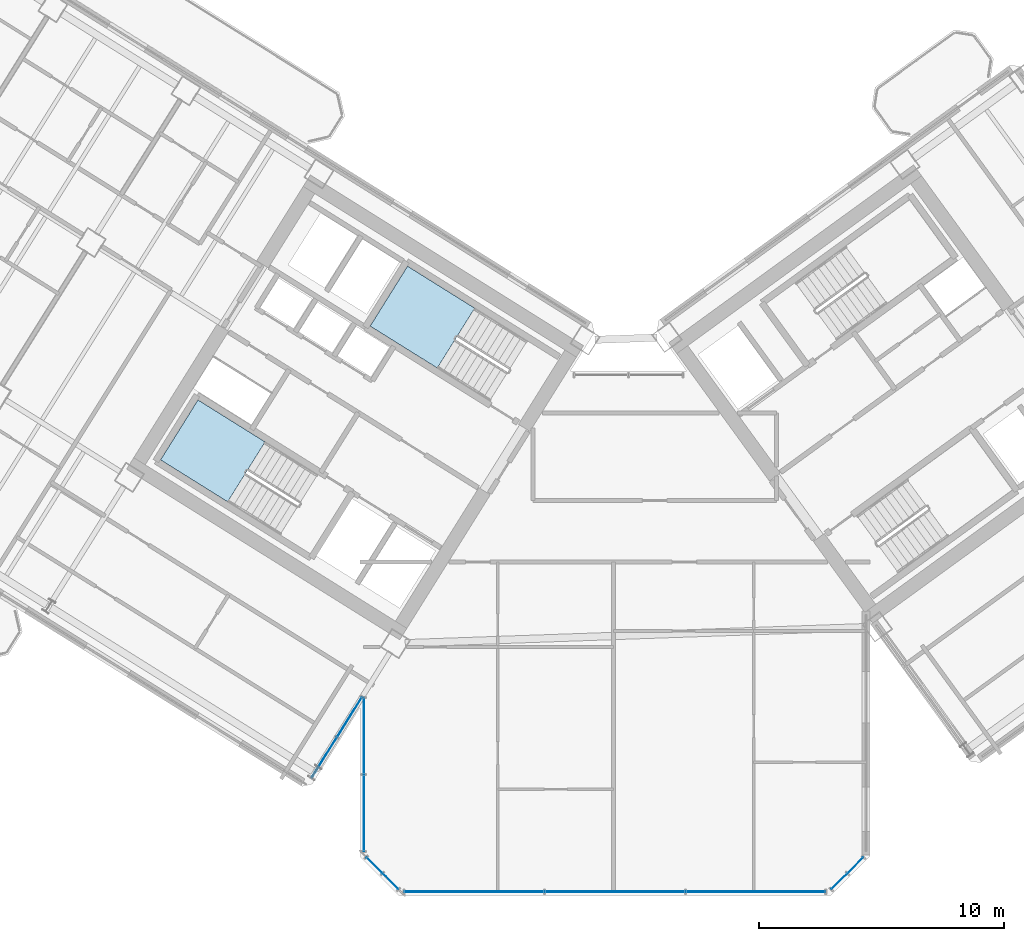
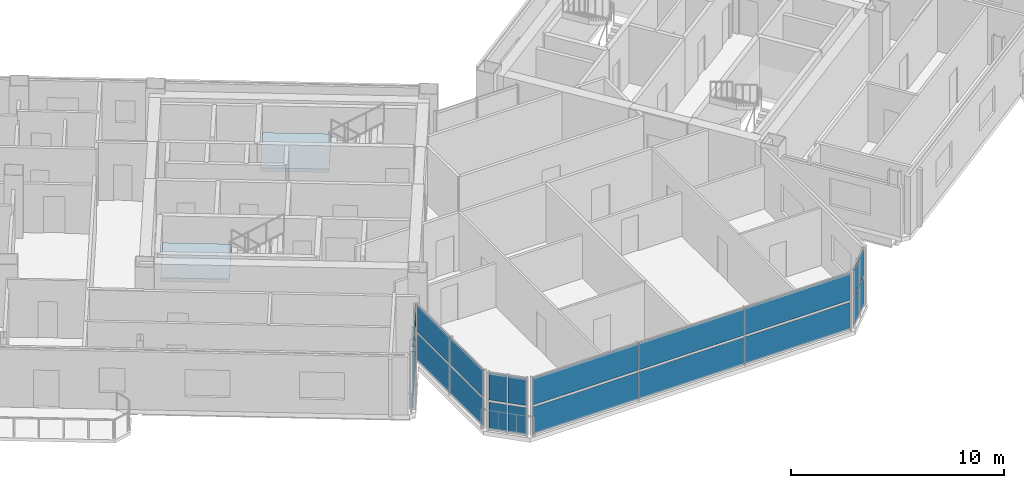
# One storey, part 14 of 29: 22 plates, 2 slabs, 7 elements without a shape of their own.
"""IFC4 building model written with IfcOpenShell, lengths in metres."""

from ifc_helpers import new_model, si_unit, direction, frame, origin, origin_2d, place, context, subcontext, project, spatial, polyline, rectangle, outline, extrude, source, transform, mapped, material, layer, layer_set, type_object, element, aggregate, save


model = new_model("IFC4")

# Units and contexts
model_context = context("Model", 3, precision=1e-05, world=origin(), true_north=direction((0.0, 1.0)))
body_context = subcontext(model_context, "Body", "Model", "MODEL_VIEW")
ifc_project = project(units=[si_unit("LENGTHUNIT", "METRE"), si_unit("AREAUNIT", "SQUARE_METRE"), si_unit("VOLUMEUNIT", "CUBIC_METRE"), si_unit("PLANEANGLEUNIT", "RADIAN"), si_unit("MASSUNIT", "GRAM", prefix="KILO")], contexts=[model_context])

# Site, building, storey
site_placement = place(None, origin())
site = spatial("IfcSite", under=ifc_project, at=site_placement, CompositionType="ELEMENT")
building_placement = place(site_placement, origin())
building = spatial("IfcBuilding", under=site, at=building_placement, Name="Tlacorven Tower", CompositionType="ELEMENT")
storey_placement = place(building_placement, frame((0.0, 0.0, 165.89990234375)))
storey = spatial("IfcBuildingStorey", under=building, at=storey_placement, Name="L42", CompositionType="ELEMENT", Elevation=165.89990234375)

# Stair, slab
ifc_material_1 = material(Name="Concrete C40/50", Category="concrete")
stair_type = type_object("IfcStairType", Name="ST-CORE-DLG", PredefinedType="HALF_TURN_STAIR", material=ifc_material_1)
stair_1_placement = place(storey_placement, origin())
stair_1 = element("IfcStair", 1, at=stair_1_placement, inside=storey, type_object=stair_type, Name="L42 Protected Exit Stair West 1", PredefinedType="HALF_TURN_STAIR")
ifc_layer_1 = layer(ifc_material_1, 0.199951171875)
ifc_layer_set_1 = layer_set([ifc_layer_1], Name="Concrete C40/50")
slab_type = type_object("IfcSlabType", Name="SL-LND-200", PredefinedType="LANDING", material=ifc_layer_set_1)
slab_1_placement = place(storey_placement, frame((0.0, 0.0, 1.60009765625)))
slab_1 = element("IfcSlab", 2, at=slab_1_placement, type_object=slab_type, Name="ST-W1 landing 1", PredefinedType="LANDING", context=body_context, shape_type="SweptSolid", body=[
    extrude(outline(polyline([(27.728515625, 20.315185546875), (24.9892578125, 22.02685546875), (23.463134765625, 19.58447265625), (26.2021484375, 17.872802734375), (27.728515625, 20.315185546875)])), origin(), (0.0, 0.0, 1.0), 0.199951171875),
])
aggregate(stair_1, [slab_1])

stair_2_placement = place(storey_placement, origin())
stair_2 = element("IfcStair", 3, at=stair_2_placement, inside=storey, type_object=stair_type, Name="L42 Protected Exit Stair West 2", PredefinedType="HALF_TURN_STAIR")
slab_2_placement = place(storey_placement, frame((0.0, 0.0, 1.60009765625)))
slab_2 = element("IfcSlab", 4, at=slab_2_placement, type_object=slab_type, Name="ST-W2 landing 1", PredefinedType="LANDING", context=body_context, shape_type="SweptSolid", body=[
    extrude(outline(polyline([(36.280029296875, 25.772705078125), (33.540771484375, 27.484375), (32.0146484375, 25.0419921875), (34.75390625, 23.33056640625), (36.280029296875, 25.772705078125)])), origin(), (0.0, 0.0, 1.0), 0.199951171875),
])
aggregate(stair_2, [slab_2])

# Curtain wall, plates
ifc_material_2 = material(Name="Dark solar low-E double glazing in aluminium frame", Category="aluminium")
curtain_wall_type = type_object("IfcCurtainWallType", Name="CW-TWR-MID", PredefinedType="USERDEFINED", material=ifc_material_2)
curtain_wall_1_placement = place(storey_placement, origin())
curtain_wall_1 = element("IfcCurtainWall", 5, at=curtain_wall_1_placement, inside=storey, type_object=curtain_wall_type, Name="L42 CW-TWR-MID Curtain Wall 190", ObjectType="UNITISED CURTAIN WALL", PredefinedType="USERDEFINED")
ifc_material_3 = material(Name="High-wind dark solar tempered low-E glazing", Category="glass")
ifc_layer_2 = layer(ifc_material_3, 0.028076171875)
ifc_layer_set_2 = layer_set([ifc_layer_2], Name="High-wind dark solar tempered low-E glazing")
plate_type = type_object("IfcPlateType", Name="CWP-03", PredefinedType="CURTAIN_PANEL", material=ifc_layer_set_2)
shared_shape_1 = source(origin(), body_context, "Body", "SweptSolid", [
    extrude(rectangle(XDim=0.885498046875, YDim=0.028076171875, at=origin_2d()), origin(), (0.0, 0.0, 1.0), 1.5380859375),
])
plate_1_placement = place(storey_placement, frame((51.816650390625, 3.04296875, 0.06103515625), z_axis=(0.0, 0.0, 1.0), x_axis=(-0.707106781187, -0.707106781187, 0.0)))
plate_1 = element("IfcPlate", 6, at=plate_1_placement, type_object=plate_type, Name="CW-L42-190 Glazing Panel 1", PredefinedType="CURTAIN_PANEL", context=body_context, shape_type="MappedRepresentation", body=[
    mapped(shared_shape_1, transform((0.0, 0.0, 0.0), scale=1.0)),
])
plate_2_placement = place(storey_placement, frame((51.816650390625, 3.04296875, 1.720947265625), z_axis=(0.0, 0.0, 1.0), x_axis=(-0.707106781187, -0.707106781187, 0.0)))
plate_2 = element("IfcPlate", 7, at=plate_2_placement, type_object=plate_type, Name="CW-L42-190 Glazing Panel 2", PredefinedType="CURTAIN_PANEL", context=body_context, shape_type="MappedRepresentation", body=[
    mapped(shared_shape_1, transform((0.0, 0.0, 0.0), scale=1.0)),
])
plate_3_placement = place(storey_placement, frame((51.1572265625, 2.38330078125, 0.06103515625), z_axis=(0.0, 0.0, 1.0), x_axis=(-0.707106781187, -0.707106781187, 0.0)))
plate_3 = element("IfcPlate", 8, at=plate_3_placement, type_object=plate_type, Name="CW-L42-190 Glazing Panel 3", PredefinedType="CURTAIN_PANEL", context=body_context, shape_type="MappedRepresentation", body=[
    mapped(shared_shape_1, transform((0.0, 0.0, 0.0), scale=1.0)),
])
plate_4_placement = place(storey_placement, frame((51.1572265625, 2.38330078125, 1.720947265625), z_axis=(0.0, 0.0, 1.0), x_axis=(-0.707106781187, -0.707106781187, 0.0)))
plate_4 = element("IfcPlate", 9, at=plate_4_placement, type_object=plate_type, Name="CW-L42-190 Glazing Panel 4", PredefinedType="CURTAIN_PANEL", context=body_context, shape_type="MappedRepresentation", body=[
    mapped(shared_shape_1, transform((0.0, 0.0, 0.0), scale=1.0)),
])
aggregate(curtain_wall_1, [plate_1, plate_2, plate_3, plate_4])

curtain_wall_2_placement = place(storey_placement, origin())
curtain_wall_2 = element("IfcCurtainWall", 10, at=curtain_wall_2_placement, inside=storey, type_object=curtain_wall_type, Name="L42 CW-TWR-MID Curtain Wall 192", ObjectType="UNITISED CURTAIN WALL", PredefinedType="USERDEFINED")
plate_5_placement = place(storey_placement, frame((32.8427734375, 2.38330078125, 0.06103515625), z_axis=(0.0, 0.0, 1.0), x_axis=(-0.707106781187, 0.707106781187, 0.0)))
plate_5 = element("IfcPlate", 11, at=plate_5_placement, type_object=plate_type, Name="CW-L42-192 Glazing Panel 1", PredefinedType="CURTAIN_PANEL", context=body_context, shape_type="MappedRepresentation", body=[
    mapped(shared_shape_1, transform((0.0, 0.0, 0.0), scale=1.0)),
])
plate_6_placement = place(storey_placement, frame((32.8427734375, 2.38330078125, 1.720947265625), z_axis=(0.0, 0.0, 1.0), x_axis=(-0.707106781187, 0.707106781187, 0.0)))
plate_6 = element("IfcPlate", 12, at=plate_6_placement, type_object=plate_type, Name="CW-L42-192 Glazing Panel 2", PredefinedType="CURTAIN_PANEL", context=body_context, shape_type="MappedRepresentation", body=[
    mapped(shared_shape_1, transform((0.0, 0.0, 0.0), scale=1.0)),
])
plate_7_placement = place(storey_placement, frame((32.183349609375, 3.04296875, 0.06103515625), z_axis=(0.0, 0.0, 1.0), x_axis=(-0.707106781187, 0.707106781187, 0.0)))
plate_7 = element("IfcPlate", 13, at=plate_7_placement, type_object=plate_type, Name="CW-L42-192 Glazing Panel 3", PredefinedType="CURTAIN_PANEL", context=body_context, shape_type="MappedRepresentation", body=[
    mapped(shared_shape_1, transform((0.0, 0.0, 0.0), scale=1.0)),
])
plate_8_placement = place(storey_placement, frame((32.183349609375, 3.04296875, 1.720947265625), z_axis=(0.0, 0.0, 1.0), x_axis=(-0.707106781187, 0.707106781187, 0.0)))
plate_8 = element("IfcPlate", 14, at=plate_8_placement, type_object=plate_type, Name="CW-L42-192 Glazing Panel 4", PredefinedType="CURTAIN_PANEL", context=body_context, shape_type="MappedRepresentation", body=[
    mapped(shared_shape_1, transform((0.0, 0.0, 0.0), scale=1.0)),
])
aggregate(curtain_wall_2, [plate_5, plate_6, plate_7, plate_8])

curtain_wall_3_placement = place(storey_placement, origin())
curtain_wall_3 = element("IfcCurtainWall", 15, at=curtain_wall_3_placement, inside=storey, type_object=curtain_wall_type, Name="L42 CW-TWR-MID Curtain Wall 191", ObjectType="UNITISED CURTAIN WALL", PredefinedType="USERDEFINED")
shared_shape_2 = source(origin(), body_context, "Body", "SweptSolid", [
    extrude(rectangle(XDim=5.67626953125, YDim=0.028076171875, at=origin_2d()), origin(), (0.0, 0.0, 1.0), 1.5380859375),
])
plate_9_placement = place(storey_placement, frame((47.739501953125, 1.9599609375, 0.06103515625), z_axis=(0.0, 0.0, 1.0), x_axis=(-1.0, 0.0, 0.0)))
plate_9 = element("IfcPlate", 16, at=plate_9_placement, type_object=plate_type, Name="CW-L42-191 Glazing Panel 1", PredefinedType="CURTAIN_PANEL", context=body_context, shape_type="MappedRepresentation", body=[
    mapped(shared_shape_2, transform((0.0, 0.0, 0.0), scale=1.0)),
])
plate_10_placement = place(storey_placement, frame((47.739501953125, 1.9599609375, 1.720947265625), z_axis=(0.0, 0.0, 1.0), x_axis=(-1.0, 0.0, 0.0)))
plate_10 = element("IfcPlate", 17, at=plate_10_placement, type_object=plate_type, Name="CW-L42-191 Glazing Panel 2", PredefinedType="CURTAIN_PANEL", context=body_context, shape_type="MappedRepresentation", body=[
    mapped(shared_shape_2, transform((0.0, 0.0, 0.0), scale=1.0)),
])
plate_11_placement = place(storey_placement, frame((36.260498046875, 1.9599609375, 0.06103515625), z_axis=(0.0, 0.0, 1.0), x_axis=(-1.0, 0.0, 0.0)))
plate_11 = element("IfcPlate", 18, at=plate_11_placement, type_object=plate_type, Name="CW-L42-191 Glazing Panel 5", PredefinedType="CURTAIN_PANEL", context=body_context, shape_type="MappedRepresentation", body=[
    mapped(shared_shape_2, transform((0.0, 0.0, 0.0), scale=1.0)),
])
plate_12_placement = place(storey_placement, frame((36.260498046875, 1.9599609375, 1.720947265625), z_axis=(0.0, 0.0, 1.0), x_axis=(-1.0, 0.0, 0.0)))
plate_12 = element("IfcPlate", 19, at=plate_12_placement, type_object=plate_type, Name="CW-L42-191 Glazing Panel 6", PredefinedType="CURTAIN_PANEL", context=body_context, shape_type="MappedRepresentation", body=[
    mapped(shared_shape_2, transform((0.0, 0.0, 0.0), scale=1.0)),
])
shared_shape_3 = source(origin(), body_context, "Body", "SweptSolid", [
    extrude(rectangle(XDim=5.708740234375, YDim=0.028076171875, at=origin_2d()), origin(), (0.0, 0.0, 1.0), 1.5380859375),
])
plate_13_placement = place(storey_placement, frame((42.0, 1.9599609375, 0.06103515625), z_axis=(0.0, 0.0, 1.0), x_axis=(-1.0, 0.0, 0.0)))
plate_13 = element("IfcPlate", 20, at=plate_13_placement, type_object=plate_type, Name="CW-L42-191 Glazing Panel 3", PredefinedType="CURTAIN_PANEL", context=body_context, shape_type="MappedRepresentation", body=[
    mapped(shared_shape_3, transform((0.0, 0.0, 0.0), scale=1.0)),
])
plate_14_placement = place(storey_placement, frame((42.0, 1.9599609375, 1.720947265625), z_axis=(0.0, 0.0, 1.0), x_axis=(-1.0, 0.0, 0.0)))
plate_14 = element("IfcPlate", 21, at=plate_14_placement, type_object=plate_type, Name="CW-L42-191 Glazing Panel 4", PredefinedType="CURTAIN_PANEL", context=body_context, shape_type="MappedRepresentation", body=[
    mapped(shared_shape_3, transform((0.0, 0.0, 0.0), scale=1.0)),
])
aggregate(curtain_wall_3, [plate_9, plate_10, plate_13, plate_14, plate_11, plate_12])

curtain_wall_4_placement = place(storey_placement, origin())
curtain_wall_4 = element("IfcCurtainWall", 22, at=curtain_wall_4_placement, inside=storey, type_object=curtain_wall_type, Name="L42 CW-TWR-MID Curtain Wall 193", ObjectType="UNITISED CURTAIN WALL", PredefinedType="USERDEFINED")
shared_shape_4 = source(origin(), body_context, "Body", "SweptSolid", [
    extrude(rectangle(XDim=3.101806640625, YDim=0.028076171875, at=origin_2d()), origin(), (0.0, 0.0, 1.0), 1.5380859375),
])
plate_15_placement = place(storey_placement, frame((31.760009765625, 5.173095703125, 0.06103515625), z_axis=(0.0, 0.0, 1.0), x_axis=(0.0, 1.0, 0.0)))
plate_15 = element("IfcPlate", 23, at=plate_15_placement, type_object=plate_type, Name="CW-L42-193 Glazing Panel 1", PredefinedType="CURTAIN_PANEL", context=body_context, shape_type="MappedRepresentation", body=[
    mapped(shared_shape_4, transform((0.0, 0.0, 0.0), scale=1.0)),
])
plate_16_placement = place(storey_placement, frame((31.760009765625, 5.173095703125, 1.720947265625), z_axis=(0.0, 0.0, 1.0), x_axis=(0.0, 1.0, 0.0)))
plate_16 = element("IfcPlate", 24, at=plate_16_placement, type_object=plate_type, Name="CW-L42-193 Glazing Panel 2", PredefinedType="CURTAIN_PANEL", context=body_context, shape_type="MappedRepresentation", body=[
    mapped(shared_shape_4, transform((0.0, 0.0, 0.0), scale=1.0)),
])
plate_17_placement = place(storey_placement, frame((31.760009765625, 8.32177734375, 0.06103515625), z_axis=(0.0, 0.0, 1.0), x_axis=(0.0, 1.0, 0.0)))
plate_17 = element("IfcPlate", 25, at=plate_17_placement, type_object=plate_type, Name="CW-L42-193 Glazing Panel 3", PredefinedType="CURTAIN_PANEL", context=body_context, shape_type="MappedRepresentation", body=[
    mapped(shared_shape_4, transform((0.0, 0.0, 0.0), scale=1.0)),
])
plate_18_placement = place(storey_placement, frame((31.760009765625, 8.32177734375, 1.720947265625), z_axis=(0.0, 0.0, 1.0), x_axis=(0.0, 1.0, 0.0)))
plate_18 = element("IfcPlate", 26, at=plate_18_placement, type_object=plate_type, Name="CW-L42-193 Glazing Panel 4", PredefinedType="CURTAIN_PANEL", context=body_context, shape_type="MappedRepresentation", body=[
    mapped(shared_shape_4, transform((0.0, 0.0, 0.0), scale=1.0)),
])
aggregate(curtain_wall_4, [plate_15, plate_16, plate_17, plate_18])

curtain_wall_5_placement = place(storey_placement, origin())
curtain_wall_5 = element("IfcCurtainWall", 27, at=curtain_wall_5_placement, inside=storey, type_object=curtain_wall_type, Name="L42 CW-TWR-MID Curtain Wall 194", ObjectType="UNITISED CURTAIN WALL", PredefinedType="USERDEFINED")
shared_shape_5 = source(origin(), body_context, "Body", "SweptSolid", [
    extrude(rectangle(XDim=1.90380859375, YDim=0.028076171875, at=origin_2d()), origin(), (0.0, 0.0, 1.0), 1.5380859375),
])
plate_19_placement = place(storey_placement, frame((31.1728515625, 9.089111328125, 0.06103515625), z_axis=(0.0, 0.0, 1.0), x_axis=(-0.529918710919, -0.848048441905, 0.0)))
plate_19 = element("IfcPlate", 28, at=plate_19_placement, type_object=plate_type, Name="CW-L42-194 Glazing Panel 1", PredefinedType="CURTAIN_PANEL", context=body_context, shape_type="MappedRepresentation", body=[
    mapped(shared_shape_5, transform((0.0, 0.0, 0.0), scale=1.0)),
])
plate_20_placement = place(storey_placement, frame((31.1728515625, 9.089111328125, 1.720947265625), z_axis=(0.0, 0.0, 1.0), x_axis=(-0.529918710919, -0.848048441905, 0.0)))
plate_20 = element("IfcPlate", 29, at=plate_20_placement, type_object=plate_type, Name="CW-L42-194 Glazing Panel 2", PredefinedType="CURTAIN_PANEL", context=body_context, shape_type="MappedRepresentation", body=[
    mapped(shared_shape_5, transform((0.0, 0.0, 0.0), scale=1.0)),
])
plate_21_placement = place(storey_placement, frame((30.13916015625, 7.4345703125, 0.06103515625), z_axis=(0.0, 0.0, 1.0), x_axis=(-0.529918710919, -0.848048441905, 0.0)))
plate_21 = element("IfcPlate", 30, at=plate_21_placement, type_object=plate_type, Name="CW-L42-194 Glazing Panel 3", PredefinedType="CURTAIN_PANEL", context=body_context, shape_type="MappedRepresentation", body=[
    mapped(shared_shape_5, transform((0.0, 0.0, 0.0), scale=1.0)),
])
plate_22_placement = place(storey_placement, frame((30.13916015625, 7.4345703125, 1.720947265625), z_axis=(0.0, 0.0, 1.0), x_axis=(-0.529918710919, -0.848048441905, 0.0)))
plate_22 = element("IfcPlate", 31, at=plate_22_placement, type_object=plate_type, Name="CW-L42-194 Glazing Panel 4", PredefinedType="CURTAIN_PANEL", context=body_context, shape_type="MappedRepresentation", body=[
    mapped(shared_shape_5, transform((0.0, 0.0, 0.0), scale=1.0)),
])
aggregate(curtain_wall_5, [plate_19, plate_20, plate_21, plate_22])

save(model, "model.ifc")
